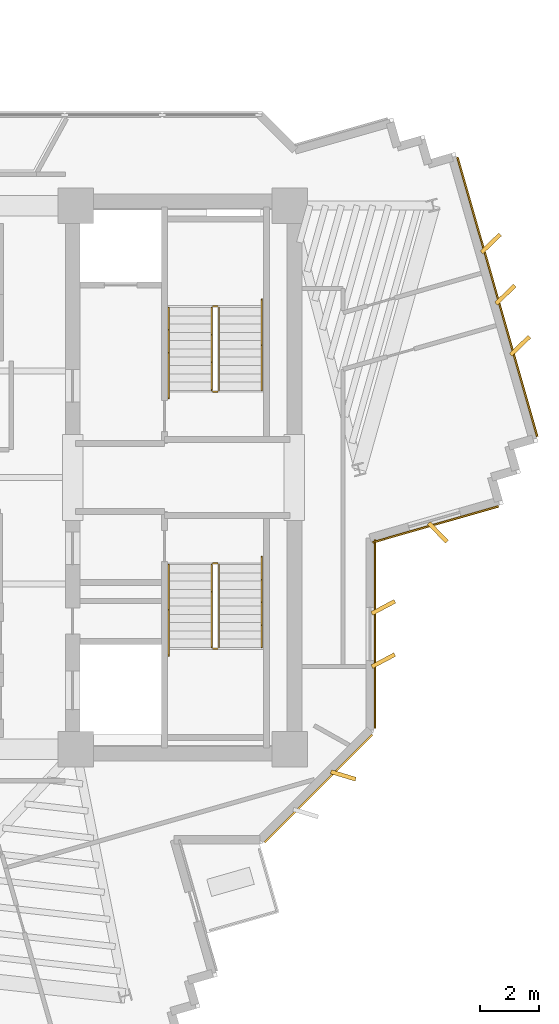
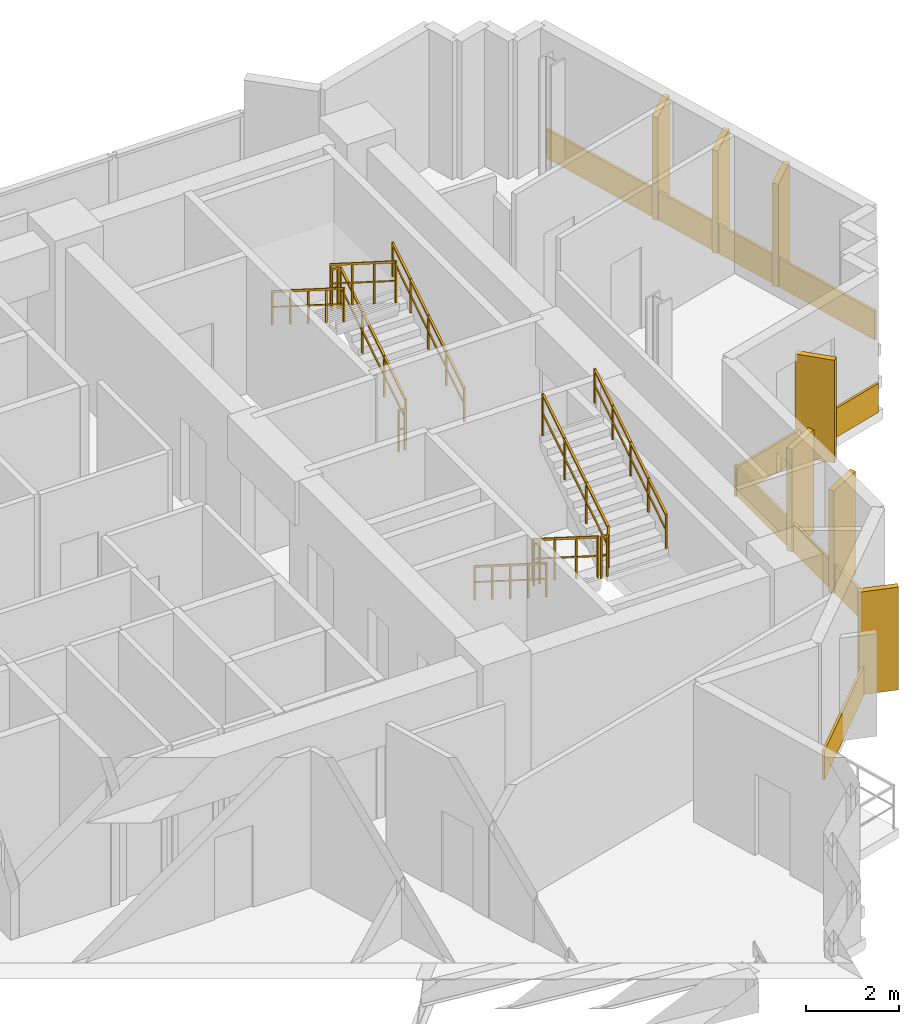
# One storey, part 13 of 14: 12 railings, 11 coverings.
"""IFC4 building model written with IfcOpenShell, lengths in metres."""

import ifcopenshell
import ifcopenshell.guid

model = None  # the IFC model being written
_history = None  # IfcOwnerHistory: only IFC2X3 demands one
_inside = {}  # id of a spatial element -> (the spatial element, [elements in it])
_under = {}  # id of a project, library or spatial element -> (it, [spatial elements below it])
_declared = {}  # id of a project -> (the project, [libraries it declares])
_typed = {}  # id of a type object -> (the type object, [elements of that type])
_made_of = {}  # id of a material, layer set ... -> (it, [elements and type objects made of it])


def new_model(schema):
    """Start an empty IFC model of exactly this schema.

    Asked for "IFC4X3", IfcOpenShell would pick the latest addendum, in which some entities
    have other attributes; the version numbers below select the first issue.
    IFC2X3 requires an IfcOwnerHistory on every rooted entity: one is made here for all.
    """
    global model, _history
    if schema == "IFC4X3":
        model = ifcopenshell.file(schema_version=(4, 3, 0, 0))
    else:
        model = ifcopenshell.file(schema=schema)
    _inside.clear()
    _under.clear()
    _declared.clear()
    _typed.clear()
    _made_of.clear()
    _history = None
    if model.schema == "IFC2X3":
        org = make("IfcOrganization", Name="unknown")
        user = make(
            "IfcPersonAndOrganization",
            ThePerson=make("IfcPerson", FamilyName="unknown"),
            TheOrganization=org,
        )
        app = make(
            "IfcApplication",
            ApplicationDeveloper=org,
            Version="unknown",
            ApplicationFullName="unknown",
            ApplicationIdentifier="unknown",
        )
        _history = make(
            "IfcOwnerHistory",
            OwningUser=user,
            OwningApplication=app,
            ChangeAction="ADDED",
            CreationDate=0,
        )
    return model


def make(cls, **values):
    """One entity of the class cls with the attributes given. An attribute that is None is left unset."""
    return model.create_entity(
        cls, **{name: value for name, value in values.items() if value is not None}
    )


def rooted(cls, **values):
    """An entity with a GlobalId (a new one), such as an element, a storey or a relation."""
    return make(cls, GlobalId=ifcopenshell.guid.new(), OwnerHistory=_history, **values)


def si_unit(unit_type, name, prefix=None):
    """IfcSIUnit, for example si_unit("LENGTHUNIT", "METRE", prefix="MILLI")."""
    return make("IfcSIUnit", UnitType=unit_type, Prefix=prefix, Name=name)


def assignment(units):
    """IfcUnitAssignment: the units of a project."""
    return None if units is None else make("IfcUnitAssignment", Units=units)


def point(xyz):
    """IfcCartesianPoint."""
    return None if xyz is None else make("IfcCartesianPoint", Coordinates=xyz)


def direction(xyz):
    """IfcDirection."""
    return None if xyz is None else make("IfcDirection", DirectionRatios=xyz)


def frame(location, z_axis=None, x_axis=None):
    """IfcAxis2Placement3D, a coordinate frame: its origin and axes. An axis left out is left unset."""
    return make(
        "IfcAxis2Placement3D",
        Location=point(location),
        Axis=direction(z_axis),
        RefDirection=direction(x_axis),
    )


def frame_2d(location, x_axis=None):
    """IfcAxis2Placement2D, a coordinate frame in the plane: its origin and x axis."""
    return make(
        "IfcAxis2Placement2D", Location=point(location), RefDirection=direction(x_axis)
    )


def origin():
    """The frame at (0, 0, 0) with its axes left unset."""
    return frame((0.0, 0.0, 0.0))


def origin_2d():
    """The frame at (0, 0) in the plane with its x axis left unset."""
    return frame_2d((0.0, 0.0))


def place(relative_to, where):
    """IfcLocalPlacement: puts the frame where relative to a parent placement (None: the world)."""
    return make(
        "IfcLocalPlacement", PlacementRelTo=relative_to, RelativePlacement=where
    )


def context(
    kind, dimensions, precision=None, world=None, true_north=None, identifier=None
):
    """IfcGeometricRepresentationContext, for example the 3D "Model" context."""
    return make(
        "IfcGeometricRepresentationContext",
        ContextIdentifier=identifier,
        ContextType=kind,
        CoordinateSpaceDimension=dimensions,
        Precision=precision,
        WorldCoordinateSystem=world,
        TrueNorth=true_north,
    )


def subcontext(parent, identifier, kind, view, scale=None):
    """IfcGeometricRepresentationSubContext, for example "Body" below "Model"."""
    return make(
        "IfcGeometricRepresentationSubContext",
        ContextIdentifier=identifier,
        ContextType=kind,
        ParentContext=parent,
        TargetScale=scale,
        TargetView=view,
    )


def project(units=None, contexts=None):
    """IfcProject with its units and contexts."""
    return rooted(
        "IfcProject",
        Name="project",
        RepresentationContexts=contexts,
        UnitsInContext=assignment(units),
    )


def spatial(cls, under=None, at=None, **own):
    """A site, building, storey or space (cls), placed at a placement, below another one or the project."""
    s = rooted(cls, ObjectPlacement=at, **own)
    if under is not None:
        _under.setdefault(under.id(), (under, []))[1].append(s)
    return s


def profile(cls, at=None, kind="AREA", **sizes):
    """A parametric profile (cls). Its sizes go by their IFC names, for example OverallWidth=200.0."""
    return make(cls, ProfileType=kind, Position=at, **sizes)


def rectangle(**sizes):
    """IfcRectangleProfileDef."""
    return profile("IfcRectangleProfileDef", **sizes)


def extrude(swept, where, along, depth):
    """IfcExtrudedAreaSolid: the profile swept, set in the frame where, extruded along a direction by depth."""
    return make(
        "IfcExtrudedAreaSolid",
        SweptArea=swept,
        Position=where,
        ExtrudedDirection=direction(along),
        Depth=depth,
    )


def shape(context_of_items, identifier, shape_type, items):
    """IfcShapeRepresentation: the items that make up one representation, for example the "Body"."""
    return make(
        "IfcShapeRepresentation",
        ContextOfItems=context_of_items,
        RepresentationIdentifier=identifier,
        RepresentationType=shape_type,
        Items=items,
    )


def source(mapping_origin, context_of_items, identifier, shape_type, items):
    """IfcRepresentationMap: a shape defined once, which mapped items show again and again."""
    return make(
        "IfcRepresentationMap",
        MappingOrigin=mapping_origin,
        MappedRepresentation=shape(context_of_items, identifier, shape_type, items),
    )


def transform(
    local_origin,
    x_axis=None,
    y_axis=None,
    z_axis=None,
    scale=None,
    scale2=None,
    scale3=None,
    uniform=True,
):
    """IfcCartesianTransformationOperator3D, or its non-uniform kind. x_axis, y_axis, z_axis: its Axis1, 2, 3."""
    if uniform:
        return make(
            "IfcCartesianTransformationOperator3D",
            Axis1=direction(x_axis),
            Axis2=direction(y_axis),
            LocalOrigin=point(local_origin),
            Scale=scale,
            Axis3=direction(z_axis),
        )
    return make(
        "IfcCartesianTransformationOperator3DnonUniform",
        Axis1=direction(x_axis),
        Axis2=direction(y_axis),
        LocalOrigin=point(local_origin),
        Scale=scale,
        Axis3=direction(z_axis),
        Scale2=scale2,
        Scale3=scale3,
    )


def mapped(mapping_source, mapping_target):
    """IfcMappedItem: shows the shape of a source again, moved by a transform."""
    return make(
        "IfcMappedItem", MappingSource=mapping_source, MappingTarget=mapping_target
    )


def material(Name=None, Category=None):
    """IfcMaterial."""
    return make("IfcMaterial", Name=Name, Category=Category)


def layer(
    of_material, thickness, ventilated=None, Name=None, Category=None, Priority=None
):
    """IfcMaterialLayer: one layer of a wall or slab, of a material (None: an air gap)."""
    return make(
        "IfcMaterialLayer",
        Material=of_material,
        LayerThickness=thickness,
        IsVentilated=ventilated,
        Name=Name,
        Category=Category,
        Priority=Priority,
    )


def layer_set(layers, Name=None):
    """IfcMaterialLayerSet."""
    return make("IfcMaterialLayerSet", MaterialLayers=layers, LayerSetName=Name)


def made_of(thing, what):
    """Note that an element or type object is made of a material, layer set ...; save() writes the relation."""
    if what is not None:
        _made_of.setdefault(what.id(), (what, []))[1].append(thing)
    return thing


def type_object(cls, material=None, **own):
    """A type object (cls), such as IfcWallType, which elements share."""
    return made_of(rooted(cls, **own), material)


def element(
    cls,
    number,
    at=None,
    inside=None,
    cuts=None,
    type_object=None,
    material=None,
    context=None,
    identifier="Body",
    shape_type=None,
    held_by="IfcProductDefinitionShape",
    body=None,
    shapes=None,
    **own,
):
    """One element of the class cls, such as IfcWall. Its Tag is "e" and its number.

    at: its placement. inside: the storey or other place that contains it. cuts: it is an
    opening in that element (IfcRelVoidsElement). A single representation is given by context,
    identifier, shape_type and body (its items); several are given by shapes. held_by: the class
    of the entity that holds the representations. save() writes the other relations.
    """
    e = rooted(cls, Tag="e%d" % number, ObjectPlacement=at, **own)
    if body is not None:
        shapes = [shape(context, identifier, shape_type, body)]
    if shapes is not None:
        e.Representation = make(held_by, Representations=shapes)
    if inside is not None:
        _inside.setdefault(inside.id(), (inside, []))[1].append(e)
    if cuts is not None:
        rooted(
            "IfcRelVoidsElement", RelatingBuildingElement=cuts, RelatedOpeningElement=e
        )
    if type_object is not None:
        _typed.setdefault(type_object.id(), (type_object, []))[1].append(e)
    return made_of(e, material)


def aggregate(whole, parts):
    """IfcRelAggregates: a whole, such as a stair, and the parts it consists of."""
    return rooted("IfcRelAggregates", RelatingObject=whole, RelatedObjects=parts)


def save(model, path):
    """Write the relations noted so far, then the file.

    IfcRelAggregates (storeys below a building ...), IfcRelContainedInSpatialStructure (elements
    in a storey), IfcRelDefinesByType, IfcRelAssociatesMaterial and IfcRelDeclares: one each for
    every whole, place, type object, material and project.
    """
    for whole, parts in _under.values():
        aggregate(whole, parts)
    for where, things in _inside.values():
        rooted(
            "IfcRelContainedInSpatialStructure",
            RelatedElements=things,
            RelatingStructure=where,
        )
    for kind, things in _typed.values():
        rooted("IfcRelDefinesByType", RelatedObjects=things, RelatingType=kind)
    for what, things in _made_of.values():
        rooted("IfcRelAssociatesMaterial", RelatedObjects=things, RelatingMaterial=what)
    for by, libraries in _declared.values():
        rooted("IfcRelDeclares", RelatingContext=by, RelatedDefinitions=libraries)
    model.write(path)


model = new_model("IFC4")

# Units and contexts
model_context = context("Model", 3, precision=1e-05, world=origin(), true_north=direction((0.0, 1.0)))
body_context = subcontext(model_context, "Body", "Model", "MODEL_VIEW")
ifc_project = project(units=[si_unit("LENGTHUNIT", "METRE"), si_unit("AREAUNIT", "SQUARE_METRE"), si_unit("VOLUMEUNIT", "CUBIC_METRE"), si_unit("PLANEANGLEUNIT", "RADIAN"), si_unit("MASSUNIT", "GRAM", prefix="KILO")], contexts=[model_context])

# Site, building, storey
site_placement = place(None, origin())
site = spatial("IfcSite", under=ifc_project, at=site_placement, CompositionType="ELEMENT")
building_placement = place(site_placement, origin())
building = spatial("IfcBuilding", under=site, at=building_placement, Name="Zahravan Cultural Tower", CompositionType="ELEMENT")
storey_placement = place(building_placement, frame((0.0, 0.0, 209.699951171875)))
storey = spatial("IfcBuildingStorey", under=building, at=storey_placement, Name="L49", CompositionType="ELEMENT", Elevation=209.699951171875)

# Railings
ifc_material_1 = material(Name="Steel ASTM A572 Grade 50", Category="steel")
railing_type_1 = type_object("IfcRailingType", Name="RL-STAIR-GRD1150", PredefinedType="BALUSTRADE", material=ifc_material_1)
railing_1_placement = place(storey_placement, frame((47.949951171875, 29.949951171875, 0.17724609375)))
element("IfcRailing", 1, at=railing_1_placement, inside=storey, type_object=railing_type_1, Name="L49 ST-E1 stair guard 1", PredefinedType="BALUSTRADE", context=body_context, shape_type="SweptSolid", body=[
    extrude(rectangle(XDim=0.05, YDim=0.05, at=origin_2d()), frame((0.0, 0.0, 1.0751953125), z_axis=(0.0, 0.844908973607, 0.534910110503), x_axis=(-1.0, 0.0, 0.0)), (0.0, 0.0, 1.0), 3.31396484375),
    extrude(rectangle(XDim=0.032, YDim=0.032, at=origin_2d()), frame((0.0, 0.0, 0.572021484375), z_axis=(0.0, 0.844908973607, 0.534910110503), x_axis=(-1.0, 0.0, 0.0)), (0.0, 0.0, 1.0), 3.31396484375),
    extrude(rectangle(XDim=0.04, YDim=0.04, at=origin_2d()), origin(), (0.0, 0.0, 1.0), 1.10009765625),
    extrude(rectangle(XDim=0.04, YDim=0.04, at=origin_2d()), frame((0.0, 0.933349609375, 0.5908203125)), (0.0, 0.0, 1.0), 1.10009765625),
    extrude(rectangle(XDim=0.04, YDim=0.04, at=origin_2d()), frame((0.0, 1.86669921875, 1.181884765625)), (0.0, 0.0, 1.0), 1.10009765625),
    extrude(rectangle(XDim=0.04, YDim=0.04, at=origin_2d()), frame((0.0, 2.800048828125, 1.772705078125)), (0.0, 0.0, 1.0), 1.10009765625),
])
railing_2_placement = place(storey_placement, frame((47.89990234375, 32.800048828125, 1.949951171875)))
element("IfcRailing", 2, at=railing_2_placement, inside=storey, type_object=railing_type_1, Name="L49 ST-E1 stair guard 2", PredefinedType="BALUSTRADE", context=body_context, shape_type="SweptSolid", body=[
    extrude(rectangle(XDim=0.05, YDim=0.05, at=origin_2d()), frame((0.0, 0.0, 1.0751953125), z_axis=(-1.0, 0.0, 0.0), x_axis=(0.0, -1.0, 0.0)), (0.0, 0.0, 1.0), 0.14990234375),
    extrude(rectangle(XDim=0.032, YDim=0.032, at=origin_2d()), frame((0.0, 0.0, 0.572021484375), z_axis=(-1.0, 0.0, 0.0), x_axis=(0.0, -1.0, 0.0)), (0.0, 0.0, 1.0), 0.14990234375),
    extrude(rectangle(XDim=0.04, YDim=0.04, at=origin_2d()), origin(), (0.0, 0.0, 1.0), 1.10009765625),
    extrude(rectangle(XDim=0.04, YDim=0.04, at=origin_2d()), frame((-0.14990234375, 0.0, 0.0)), (0.0, 0.0, 1.0), 1.10009765625),
])
railing_3_placement = place(storey_placement, frame((47.699951171875, 32.75, 2.12744140625)))
element("IfcRailing", 3, at=railing_3_placement, inside=storey, type_object=railing_type_1, Name="L49 ST-E1 stair guard 3", PredefinedType="BALUSTRADE", context=body_context, shape_type="SweptSolid", body=[
    extrude(rectangle(XDim=0.05, YDim=0.05, at=origin_2d()), frame((0.0, 0.0, 1.0751953125), z_axis=(0.0, -0.844908973607, 0.534910110503), x_axis=(1.0, 0.0, 0.0)), (0.0, 0.0, 1.0), 3.31396484375),
    extrude(rectangle(XDim=0.032, YDim=0.032, at=origin_2d()), frame((0.0, 0.0, 0.572021484375), z_axis=(0.0, -0.844908973607, 0.534910110503), x_axis=(1.0, 0.0, 0.0)), (0.0, 0.0, 1.0), 3.31396484375),
    extrude(rectangle(XDim=0.04, YDim=0.04, at=origin_2d()), origin(), (0.0, 0.0, 1.0), 1.10009765625),
    extrude(rectangle(XDim=0.04, YDim=0.04, at=origin_2d()), frame((0.0, -0.933349609375, 0.5908203125)), (0.0, 0.0, 1.0), 1.10009765625),
    extrude(rectangle(XDim=0.04, YDim=0.04, at=origin_2d()), frame((0.0, -1.86669921875, 1.181884765625)), (0.0, 0.0, 1.0), 1.10009765625),
    extrude(rectangle(XDim=0.04, YDim=0.04, at=origin_2d()), frame((0.0, -2.800048828125, 1.772705078125)), (0.0, 0.0, 1.0), 1.10009765625),
])
railing_4_placement = place(storey_placement, frame((47.89990234375, 29.89990234375, 0.0)))
element("IfcRailing", 4, at=railing_4_placement, inside=storey, type_object=railing_type_1, Name="L49 ST-E1 stair guard 4", PredefinedType="BALUSTRADE", context=body_context, shape_type="SweptSolid", body=[
    extrude(rectangle(XDim=0.05, YDim=0.05, at=origin_2d()), frame((0.0, 0.0, 1.0751953125), z_axis=(-1.0, 0.0, 0.0), x_axis=(0.0, -1.0, 0.0)), (0.0, 0.0, 1.0), 0.14990234375),
    extrude(rectangle(XDim=0.032, YDim=0.032, at=origin_2d()), frame((0.0, 0.0, 0.572021484375), z_axis=(-1.0, 0.0, 0.0), x_axis=(0.0, -1.0, 0.0)), (0.0, 0.0, 1.0), 0.14990234375),
    extrude(rectangle(XDim=0.04, YDim=0.04, at=origin_2d()), origin(), (0.0, 0.0, 1.0), 1.10009765625),
    extrude(rectangle(XDim=0.04, YDim=0.04, at=origin_2d()), frame((-0.14990234375, 0.0, 0.0)), (0.0, 0.0, 1.0), 1.10009765625),
])
railing_5_placement = place(storey_placement, frame((47.699951171875, 24.050048828125, 0.17724609375)))
element("IfcRailing", 5, at=railing_5_placement, inside=storey, type_object=railing_type_1, Name="L49 ST-E2 stair guard 1", PredefinedType="BALUSTRADE", context=body_context, shape_type="SweptSolid", body=[
    extrude(rectangle(XDim=0.05, YDim=0.05, at=origin_2d()), frame((0.0, 0.0, 1.0751953125), z_axis=(0.0, -0.844908973607, 0.534910110503), x_axis=(1.0, 0.0, 0.0)), (0.0, 0.0, 1.0), 3.31396484375),
    extrude(rectangle(XDim=0.032, YDim=0.032, at=origin_2d()), frame((0.0, 0.0, 0.572021484375), z_axis=(0.0, -0.844908973607, 0.534910110503), x_axis=(1.0, 0.0, 0.0)), (0.0, 0.0, 1.0), 3.31396484375),
    extrude(rectangle(XDim=0.04, YDim=0.04, at=origin_2d()), origin(), (0.0, 0.0, 1.0), 1.10009765625),
    extrude(rectangle(XDim=0.04, YDim=0.04, at=origin_2d()), frame((0.0, -0.933349609375, 0.5908203125)), (0.0, 0.0, 1.0), 1.10009765625),
    extrude(rectangle(XDim=0.04, YDim=0.04, at=origin_2d()), frame((0.0, -1.86669921875, 1.181884765625)), (0.0, 0.0, 1.0), 1.10009765625),
    extrude(rectangle(XDim=0.04, YDim=0.04, at=origin_2d()), frame((0.0, -2.800048828125, 1.772705078125)), (0.0, 0.0, 1.0), 1.10009765625),
])
railing_6_placement = place(storey_placement, frame((47.75, 21.199951171875, 1.949951171875)))
element("IfcRailing", 6, at=railing_6_placement, inside=storey, type_object=railing_type_1, Name="L49 ST-E2 stair guard 2", PredefinedType="BALUSTRADE", context=body_context, shape_type="SweptSolid", body=[
    extrude(rectangle(XDim=0.05, YDim=0.05, at=origin_2d()), frame((0.0, 0.0, 1.0751953125), z_axis=(1.0, 0.0, 0.0), x_axis=(0.0, 1.0, 0.0)), (0.0, 0.0, 1.0), 0.14990234375),
    extrude(rectangle(XDim=0.032, YDim=0.032, at=origin_2d()), frame((0.0, 0.0, 0.572021484375), z_axis=(1.0, 0.0, 0.0), x_axis=(0.0, 1.0, 0.0)), (0.0, 0.0, 1.0), 0.14990234375),
    extrude(rectangle(XDim=0.04, YDim=0.04, at=origin_2d()), origin(), (0.0, 0.0, 1.0), 1.10009765625),
    extrude(rectangle(XDim=0.04, YDim=0.04, at=origin_2d()), frame((0.14990234375, 0.0, 0.0)), (0.0, 0.0, 1.0), 1.10009765625),
])
railing_7_placement = place(storey_placement, frame((47.949951171875, 21.25, 2.12744140625)))
element("IfcRailing", 7, at=railing_7_placement, inside=storey, type_object=railing_type_1, Name="L49 ST-E2 stair guard 3", PredefinedType="BALUSTRADE", context=body_context, shape_type="SweptSolid", body=[
    extrude(rectangle(XDim=0.05, YDim=0.05, at=origin_2d()), frame((0.0, 0.0, 1.0751953125), z_axis=(0.0, 0.844908973607, 0.534910110503), x_axis=(-1.0, 0.0, 0.0)), (0.0, 0.0, 1.0), 3.31396484375),
    extrude(rectangle(XDim=0.032, YDim=0.032, at=origin_2d()), frame((0.0, 0.0, 0.572021484375), z_axis=(0.0, 0.844908973607, 0.534910110503), x_axis=(-1.0, 0.0, 0.0)), (0.0, 0.0, 1.0), 3.31396484375),
    extrude(rectangle(XDim=0.04, YDim=0.04, at=origin_2d()), origin(), (0.0, 0.0, 1.0), 1.10009765625),
    extrude(rectangle(XDim=0.04, YDim=0.04, at=origin_2d()), frame((0.0, 0.933349609375, 0.5908203125)), (0.0, 0.0, 1.0), 1.10009765625),
    extrude(rectangle(XDim=0.04, YDim=0.04, at=origin_2d()), frame((0.0, 1.86669921875, 1.181884765625)), (0.0, 0.0, 1.0), 1.10009765625),
    extrude(rectangle(XDim=0.04, YDim=0.04, at=origin_2d()), frame((0.0, 2.800048828125, 1.772705078125)), (0.0, 0.0, 1.0), 1.10009765625),
])
railing_8_placement = place(storey_placement, frame((47.75, 24.10009765625, 0.0)))
element("IfcRailing", 8, at=railing_8_placement, inside=storey, type_object=railing_type_1, Name="L49 ST-E2 stair guard 4", PredefinedType="BALUSTRADE", context=body_context, shape_type="SweptSolid", body=[
    extrude(rectangle(XDim=0.05, YDim=0.05, at=origin_2d()), frame((0.0, 0.0, 1.0751953125), z_axis=(1.0, 0.0, 0.0), x_axis=(0.0, 1.0, 0.0)), (0.0, 0.0, 1.0), 0.14990234375),
    extrude(rectangle(XDim=0.032, YDim=0.032, at=origin_2d()), frame((0.0, 0.0, 0.572021484375), z_axis=(1.0, 0.0, 0.0), x_axis=(0.0, 1.0, 0.0)), (0.0, 0.0, 1.0), 0.14990234375),
    extrude(rectangle(XDim=0.04, YDim=0.04, at=origin_2d()), origin(), (0.0, 0.0, 1.0), 1.10009765625),
    extrude(rectangle(XDim=0.04, YDim=0.04, at=origin_2d()), frame((0.14990234375, 0.0, 0.0)), (0.0, 0.0, 1.0), 1.10009765625),
])
railing_type_2 = type_object("IfcRailingType", Name="RL-STAIR-HR900", PredefinedType="HANDRAIL", material=ifc_material_1)
railing_9_placement = place(storey_placement, frame((49.39990234375, 29.949951171875, 0.17724609375)))
element("IfcRailing", 9, at=railing_9_placement, inside=storey, type_object=railing_type_2, Name="L49 ST-E1 stair handrail 1", PredefinedType="HANDRAIL", context=body_context, shape_type="SweptSolid", body=[
    extrude(rectangle(XDim=0.05, YDim=0.05, at=origin_2d()), frame((0.0, 0.0, 0.875), z_axis=(0.0, 0.844883648757, 0.534950109882), x_axis=(-1.0, 0.0, 0.0)), (0.0, 0.0, 1.0), 3.6455078125),
    extrude(rectangle(XDim=0.032, YDim=0.032, at=origin_2d()), frame((0.0, 0.0, 0.468017578125), z_axis=(0.0, 0.844883648757, 0.534950109882), x_axis=(-1.0, 0.0, 0.0)), (0.0, 0.0, 1.0), 3.6455078125),
    extrude(rectangle(XDim=0.04, YDim=0.04, at=origin_2d()), origin(), (0.0, 0.0, 1.0), 0.89990234375),
    extrude(rectangle(XDim=0.04, YDim=0.04, at=origin_2d()), frame((0.0, 0.77001953125, 0.487548828125)), (0.0, 0.0, 1.0), 0.89990234375),
    extrude(rectangle(XDim=0.04, YDim=0.04, at=origin_2d()), frame((0.0, 1.5400390625, 0.97509765625)), (0.0, 0.0, 1.0), 0.89990234375),
    extrude(rectangle(XDim=0.04, YDim=0.04, at=origin_2d()), frame((0.0, 2.31005859375, 1.462646484375)), (0.0, 0.0, 1.0), 0.89990234375),
    extrude(rectangle(XDim=0.04, YDim=0.04, at=origin_2d()), frame((0.0, 3.080078125, 1.9501953125)), (0.0, 0.0, 1.0), 0.89990234375),
])
railing_10_placement = place(storey_placement, frame((46.25, 32.75, 2.12744140625)))
element("IfcRailing", 10, at=railing_10_placement, inside=storey, type_object=railing_type_2, Name="L49 ST-E1 stair handrail 2", PredefinedType="HANDRAIL", context=body_context, shape_type="SweptSolid", body=[
    extrude(rectangle(XDim=0.05, YDim=0.05, at=origin_2d()), frame((0.0, 0.0, 0.875), z_axis=(0.0, -0.844913916606, 0.534902302785), x_axis=(1.0, 0.0, 0.0)), (0.0, 0.0, 1.0), 3.6455078125),
    extrude(rectangle(XDim=0.032, YDim=0.032, at=origin_2d()), frame((0.0, 0.0, 0.468017578125), z_axis=(0.0, -0.844913916606, 0.534902302785), x_axis=(1.0, 0.0, 0.0)), (0.0, 0.0, 1.0), 3.6455078125),
    extrude(rectangle(XDim=0.04, YDim=0.04, at=origin_2d()), origin(), (0.0, 0.0, 1.0), 0.89990234375),
    extrude(rectangle(XDim=0.04, YDim=0.04, at=origin_2d()), frame((0.0, -0.77001953125, 0.487548828125)), (0.0, 0.0, 1.0), 0.89990234375),
    extrude(rectangle(XDim=0.04, YDim=0.04, at=origin_2d()), frame((0.0, -1.5400390625, 0.97509765625)), (0.0, 0.0, 1.0), 0.89990234375),
    extrude(rectangle(XDim=0.04, YDim=0.04, at=origin_2d()), frame((0.0, -2.31005859375, 1.46240234375)), (0.0, 0.0, 1.0), 0.89990234375),
    extrude(rectangle(XDim=0.04, YDim=0.04, at=origin_2d()), frame((0.0, -3.080078125, 1.949951171875)), (0.0, 0.0, 1.0), 0.89990234375),
])
railing_11_placement = place(storey_placement, frame((46.25, 24.050048828125, 0.17724609375)))
element("IfcRailing", 11, at=railing_11_placement, inside=storey, type_object=railing_type_2, Name="L49 ST-E2 stair handrail 1", PredefinedType="HANDRAIL", context=body_context, shape_type="SweptSolid", body=[
    extrude(rectangle(XDim=0.05, YDim=0.05, at=origin_2d()), frame((0.0, 0.0, 0.875), z_axis=(0.0, -0.844883648757, 0.534950109882), x_axis=(1.0, 0.0, 0.0)), (0.0, 0.0, 1.0), 3.6455078125),
    extrude(rectangle(XDim=0.032, YDim=0.032, at=origin_2d()), frame((0.0, 0.0, 0.468017578125), z_axis=(0.0, -0.844883648757, 0.534950109882), x_axis=(1.0, 0.0, 0.0)), (0.0, 0.0, 1.0), 3.6455078125),
    extrude(rectangle(XDim=0.04, YDim=0.04, at=origin_2d()), origin(), (0.0, 0.0, 1.0), 0.89990234375),
    extrude(rectangle(XDim=0.04, YDim=0.04, at=origin_2d()), frame((0.0, -0.77001953125, 0.487548828125)), (0.0, 0.0, 1.0), 0.89990234375),
    extrude(rectangle(XDim=0.04, YDim=0.04, at=origin_2d()), frame((0.0, -1.5400390625, 0.97509765625)), (0.0, 0.0, 1.0), 0.89990234375),
    extrude(rectangle(XDim=0.04, YDim=0.04, at=origin_2d()), frame((0.0, -2.31005859375, 1.462646484375)), (0.0, 0.0, 1.0), 0.89990234375),
    extrude(rectangle(XDim=0.04, YDim=0.04, at=origin_2d()), frame((0.0, -3.080078125, 1.9501953125)), (0.0, 0.0, 1.0), 0.89990234375),
])
railing_12_placement = place(storey_placement, frame((49.39990234375, 21.25, 2.12744140625)))
element("IfcRailing", 12, at=railing_12_placement, inside=storey, type_object=railing_type_2, Name="L49 ST-E2 stair handrail 2", PredefinedType="HANDRAIL", context=body_context, shape_type="SweptSolid", body=[
    extrude(rectangle(XDim=0.05, YDim=0.05, at=origin_2d()), frame((0.0, 0.0, 0.875), z_axis=(0.0, 0.844913916606, 0.534902302785), x_axis=(-1.0, 0.0, 0.0)), (0.0, 0.0, 1.0), 3.6455078125),
    extrude(rectangle(XDim=0.032, YDim=0.032, at=origin_2d()), frame((0.0, 0.0, 0.468017578125), z_axis=(0.0, 0.844913916606, 0.534902302785), x_axis=(-1.0, 0.0, 0.0)), (0.0, 0.0, 1.0), 3.6455078125),
    extrude(rectangle(XDim=0.04, YDim=0.04, at=origin_2d()), origin(), (0.0, 0.0, 1.0), 0.89990234375),
    extrude(rectangle(XDim=0.04, YDim=0.04, at=origin_2d()), frame((0.0, 0.77001953125, 0.487548828125)), (0.0, 0.0, 1.0), 0.89990234375),
    extrude(rectangle(XDim=0.04, YDim=0.04, at=origin_2d()), frame((0.0, 1.5400390625, 0.97509765625)), (0.0, 0.0, 1.0), 0.89990234375),
    extrude(rectangle(XDim=0.04, YDim=0.04, at=origin_2d()), frame((0.0, 2.31005859375, 1.46240234375)), (0.0, 0.0, 1.0), 0.89990234375),
    extrude(rectangle(XDim=0.04, YDim=0.04, at=origin_2d()), frame((0.0, 3.080078125, 1.949951171875)), (0.0, 0.0, 1.0), 0.89990234375),
])

# Coverings
ifc_material_2 = material(Name="Terracotta ceramic cladding", Category="masonry")
ifc_layer = layer(ifc_material_2, 0.06005859375)
ifc_layer_set = layer_set([ifc_layer], Name="Terracotta ceramic cladding")
covering_type = type_object("IfcCoveringType", Name="COV-CLAD-TC60", PredefinedType="CLADDING", material=ifc_layer_set)
shared_shape_1 = source(origin(), body_context, "Body", "SweptSolid", [
    extrude(rectangle(XDim=9.820068359375, YDim=0.06005859375, at=origin_2d()), origin(), (0.0, 0.0, 1.0), 0.760009765625),
])
covering_1_placement = place(storey_placement, frame((57.368408203125, 33.111083984375, 0.02001953125), z_axis=(0.0, 0.0, 1.0), x_axis=(0.274966201438, -0.961453892845, 0.0)))
element("IfcCovering", 13, at=covering_1_placement, inside=storey, type_object=covering_type, Name="L49 Terracotta Spandrel Cladding 06", PredefinedType="CLADDING", context=body_context, shape_type="MappedRepresentation", body=[
    mapped(shared_shape_1, transform((0.0, 0.0, 0.0), x_axis=(1.0, 0.0, 0.0), y_axis=(0.0, 1.0, 0.0), z_axis=(0.0, 0.0, 1.0), scale=1.0)),
])
shared_shape_2 = source(origin(), body_context, "Body", "SweptSolid", [
    extrude(rectangle(XDim=5.157958984375, YDim=0.06005859375, at=origin_2d()), origin(), (0.0, 0.0, 1.0), 0.760009765625),
])
covering_2_placement = place(storey_placement, frame((51.317626953125, 16.482421875, 0.02001953125), z_axis=(0.0, 0.0, 1.0), x_axis=(-0.707106781187, -0.707106781187, 0.0)))
element("IfcCovering", 14, at=covering_2_placement, inside=storey, type_object=covering_type, Name="L49 Terracotta Spandrel Cladding 13", PredefinedType="CLADDING", context=body_context, shape_type="MappedRepresentation", body=[
    mapped(shared_shape_2, transform((0.0, 0.0, 0.0), x_axis=(1.0, 0.0, 0.0), y_axis=(0.0, 1.0, 0.0), z_axis=(0.0, 0.0, 1.0), scale=1.0)),
])
shared_shape_3 = source(origin(), body_context, "Body", "SweptSolid", [
    extrude(rectangle(XDim=0.8798828125, YDim=0.139892578125, at=origin_2d()), origin(), (0.0, 0.0, 1.0), 2.699951171875),
])
for number, where, z_axis, x_axis, name in (
    (15, (57.1474609375, 34.920166015625, 0.05029296875), (0.0, 0.0, 1.0), (0.71982458803, 0.694156007298, 0.0), "L49 Herringbone Terracotta Fin 01"),
    (16, (57.642333984375, 33.189453125, 0.05029296875), (0.0, 0.0, 1.0), (0.71982458803, 0.694156007298, 0.0), "L49 Herringbone Terracotta Fin 02"),
    (17, (58.13720703125, 31.458984375, 0.05029296875), (0.0, 0.0, 1.0), (0.71982458803, 0.694156007298, 0.0), "L49 Herringbone Terracotta Fin 03"),
    (18, (55.35693359375, 25.140869140625, 0.05029296875), (0.0, 0.0, 1.0), (0.694143443883, -0.719836703228, 0.0), "L49 Herringbone Terracotta Fin 04"),
    (19, (53.510009765625, 22.60498046875, 0.05029296875), (0.0, 0.0, 1.0), (0.882947592859, 0.469471562786, 0.0), "L49 Herringbone Terracotta Fin 05"),
    (20, (53.510009765625, 20.804931640625, 0.05029296875), (0.0, 0.0, 1.0), (0.882947592859, 0.469471562786, 0.0), "L49 Herringbone Terracotta Fin 06"),
    (21, (52.155517578125, 16.917236328125, 0.05029296875), (0.0, 0.0, 1.0), (0.956304755963, -0.292371704723, 0.0), "L49 Herringbone Terracotta Fin 07"),
):
    element("IfcCovering", number, at=place(storey_placement, frame(where, z_axis=z_axis, x_axis=x_axis)), inside=storey, type_object=covering_type, Name=name, PredefinedType="CLADDING", context=body_context, shape_type="MappedRepresentation", body=[
        mapped(shared_shape_3, transform((0.0, 0.0, 0.0), x_axis=(1.0, 0.0, 0.0), y_axis=(0.0, 1.0, 0.0), z_axis=(0.0, 0.0, 1.0), scale=1.0)),
    ])
shared_shape_4 = source(origin(), body_context, "Body", "SweptSolid", [
    extrude(rectangle(XDim=4.420654296875, YDim=0.06005859375, at=origin_2d()), origin(), (0.0, 0.0, 1.0), 0.760009765625),
])
covering_3_placement = place(storey_placement, frame((55.278564453125, 25.414794921875, 0.02001953125), z_axis=(0.0, 0.0, 1.0), x_axis=(-0.961458691764, -0.27494942086, 0.0)))
element("IfcCovering", 22, at=covering_3_placement, inside=storey, type_object=covering_type, Name="L49 Terracotta Spandrel Cladding 11", PredefinedType="CLADDING", context=body_context, shape_type="MappedRepresentation", body=[
    mapped(shared_shape_4, transform((0.0, 0.0, 0.0), x_axis=(1.0, 0.0, 0.0), y_axis=(0.0, 1.0, 0.0), z_axis=(0.0, 0.0, 1.0), scale=1.0)),
])
shared_shape_5 = source(origin(), body_context, "Body", "SweptSolid", [
    extrude(rectangle(XDim=6.39404296875, YDim=0.06005859375, at=origin_2d()), origin(), (0.0, 0.0, 1.0), 0.760009765625),
])
covering_4_placement = place(storey_placement, frame((53.22509765625, 21.705078125, 0.02001953125), z_axis=(0.0, 0.0, 1.0), x_axis=(0.0, -1.0, 0.0)))
element("IfcCovering", 23, at=covering_4_placement, inside=storey, type_object=covering_type, Name="L49 Terracotta Spandrel Cladding 12", PredefinedType="CLADDING", context=body_context, shape_type="MappedRepresentation", body=[
    mapped(shared_shape_5, transform((0.0, 0.0, 0.0), x_axis=(1.0, 0.0, 0.0), y_axis=(0.0, 1.0, 0.0), z_axis=(0.0, 0.0, 1.0), scale=1.0)),
])

save(model, "model.ifc")
